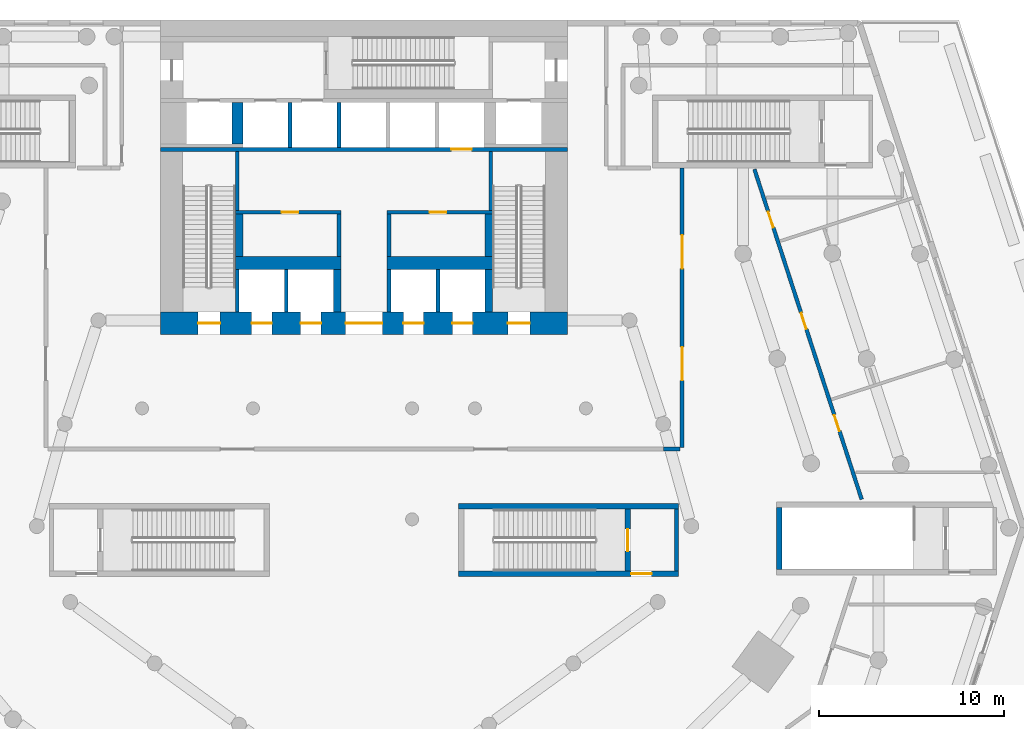
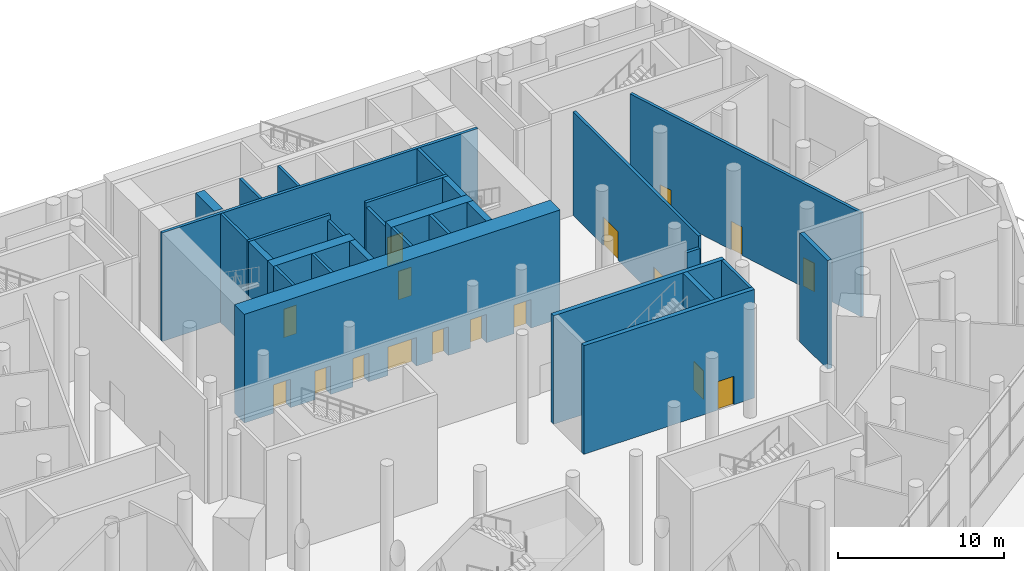
# One storey, part 14 of 23: 29 walls, 17 doors, 17 openings.
"""IFC4 building model written with IfcOpenShell, lengths in metres."""

from ifc_helpers import new_model, si_unit, direction, frame, frame_2d, origin, place, context, subcontext, project, spatial, rectangle, extrude, material, layer, layer_set, type_object, element, fill, save


model = new_model("IFC4")

# Units and contexts
model_context = context("Model", 3, precision=1e-05, world=origin(), true_north=direction((0.0, 1.0)))
body_context = subcontext(model_context, "Body", "Model", "MODEL_VIEW")
ifc_project = project(units=[si_unit("LENGTHUNIT", "METRE"), si_unit("AREAUNIT", "SQUARE_METRE"), si_unit("VOLUMEUNIT", "CUBIC_METRE"), si_unit("PLANEANGLEUNIT", "RADIAN"), si_unit("MASSUNIT", "GRAM", prefix="KILO")], contexts=[model_context])

# Site, building, storey
site_placement = place(None, origin())
site = spatial("IfcSite", under=ifc_project, at=site_placement, CompositionType="ELEMENT")
building_placement = place(site_placement, origin())
building = spatial("IfcBuilding", under=site, at=building_placement, Name="White Candle Pilgrim Tower", CompositionType="ELEMENT")
storey_placement = place(building_placement, frame((0.0, 0.0, 15.0)))
storey = spatial("IfcBuildingStorey", under=building, at=storey_placement, Name="L02", CompositionType="ELEMENT", Elevation=15.0)

# Wall, openings, doors
ifc_material_1 = material(Name="Autoclaved aerated block D500, plastered")
ifc_layer_1 = layer(ifc_material_1, 0.199951171875)
ifc_layer_set_1 = layer_set([ifc_layer_1], Name="Compartment wall 200 mm REI 240")
wall_type_1 = type_object("IfcWallType", Name="Compartment wall 200 mm REI 240", PredefinedType="PARTITIONING", material=ifc_layer_set_1)
wall_1_placement = place(storey_placement, frame((87.199951171875, 80.0, 0.0), z_axis=(0.0, 0.0, 1.0), x_axis=(0.0, -1.0, 0.0)))
wall_1 = element("IfcWall", 1, at=wall_1_placement, inside=storey, type_object=wall_type_1, Name="WL-L02-P031", PredefinedType="PARTITIONING", context=body_context, shape_type="SweptSolid", body=[
    extrude(rectangle(XDim=15.125, YDim=0.199951171875, at=frame_2d((7.5625, 0.0))), origin(), (0.0, 0.0, 1.0), 7.64990234375),
])
opening_1_placement = place(wall_1_placement, frame((3.637451171875, 0.0, 0.0)))
opening_1 = element("IfcOpeningElement", 2, at=opening_1_placement, cuts=wall_1, Name="Opening L02-118", PredefinedType="OPENING", context=body_context, shape_type="SweptSolid", body=[
    extrude(rectangle(XDim=1.800048828125, YDim=2.10009765625, at=frame_2d((0.89990234375, 1.050048828125))), frame((0.0, 0.10986328125, 0.0), z_axis=(0.0, -1.0, 0.0), x_axis=(1.0, 0.0, 0.0)), (0.0, 0.0, 1.0), 0.219970703125),
])
opening_2_placement = place(wall_1_placement, frame((9.6875, 0.0, 0.0)))
opening_2 = element("IfcOpeningElement", 3, at=opening_2_placement, cuts=wall_1, Name="Opening L02-119", PredefinedType="OPENING", context=body_context, shape_type="SweptSolid", body=[
    extrude(rectangle(XDim=1.800048828125, YDim=2.10009765625, at=frame_2d((0.89990234375, 1.050048828125))), frame((0.0, 0.10986328125, 0.0), z_axis=(0.0, -1.0, 0.0), x_axis=(1.0, 0.0, 0.0)), (0.0, 0.0, 1.0), 0.219970703125),
])
ifc_material_2 = material(Name="Steel door leaf", Category="steel")
door_type_1 = type_object("IfcDoorType", Name="Compartment door 1800 x 2100 EI 60", OperationType="NOTDEFINED", PredefinedType="DOOR", material=ifc_material_2)
door_1_placement = place(opening_1_placement, origin())
door_1 = element("IfcDoor", 4, at=door_1_placement, inside=storey, type_object=door_type_1, Name="Door L02-118", OperationType="DOUBLE_DOOR_SINGLE_SWING", OverallHeight=2.10009765625, OverallWidth=1.800048828125, PredefinedType="DOOR", context=body_context, shape_type="SweptSolid", body=[
    extrude(rectangle(XDim=1.800048828125, YDim=2.10009765625, at=frame_2d((0.89990234375, 1.050048828125))), frame((0.0, 0.02490234375, 0.0), z_axis=(0.0, -1.0, 0.0), x_axis=(1.0, 0.0, 0.0)), (0.0, 0.0, 1.0), 0.050048828125),
])
fill(opening_1, door_1)
door_2_placement = place(opening_2_placement, origin())
door_2 = element("IfcDoor", 5, at=door_2_placement, inside=storey, type_object=door_type_1, Name="Door L02-119", OperationType="DOUBLE_DOOR_SINGLE_SWING", OverallHeight=2.10009765625, OverallWidth=1.800048828125, PredefinedType="DOOR", context=body_context, shape_type="SweptSolid", body=[
    extrude(rectangle(XDim=1.800048828125, YDim=2.10009765625, at=frame_2d((0.89990234375, 1.050048828125))), frame((0.0, 0.02490234375, 0.0), z_axis=(0.0, -1.0, 0.0), x_axis=(1.0, 0.0, 0.0)), (0.0, 0.0, 1.0), 0.050048828125),
])
fill(opening_2, door_2)

# Walls
wall_2_placement = place(storey_placement, frame((87.10009765625, 64.800048828125, 0.0), z_axis=(0.0, 0.0, 1.0), x_axis=(-1.0, 0.0, 0.0)))
element("IfcWall", 6, at=wall_2_placement, inside=storey, type_object=wall_type_1, Name="WL-L02-P032", PredefinedType="PARTITIONING", context=body_context, shape_type="SweptSolid", body=[
    extrude(rectangle(XDim=0.900146484375, YDim=0.199951171875, at=frame_2d((0.4501953125, 0.0))), origin(), (0.0, 0.0, 1.0), 6.85009765625),
])
ifc_material_3 = material(Name="Concrete C70/85", Category="concrete")
ifc_layer_2 = layer(ifc_material_3, 0.199951171875)
ifc_layer_set_2 = layer_set([ifc_layer_2], Name="Core wall 200 mm Concrete C70/85")
wall_type_2 = type_object("IfcWallType", Name="Core wall 200 mm Concrete C70/85", PredefinedType="SHEAR", material=ifc_layer_set_2)
wall_3_placement = place(storey_placement, frame((86.89990234375, 58.199951171875, 0.0), z_axis=(0.0, 0.0, 1.0), x_axis=(0.0, 1.0, 0.0)))
element("IfcWall", 7, at=wall_3_placement, inside=storey, type_object=wall_type_2, Name="WL-L02-C20", PredefinedType="SHEAR", context=body_context, shape_type="SweptSolid", body=[
    extrude(rectangle(XDim=3.35009765625, YDim=0.199951171875, at=frame_2d((1.675048828125, 0.0))), origin(), (0.0, 0.0, 1.0), 8.0),
])

# Wall, openings, doors
ifc_layer_3 = layer(ifc_material_1, 0.199951171875)
ifc_layer_set_3 = layer_set([ifc_layer_3], Name="Hall enclosure wall 200 mm REI 240")
wall_type_3 = type_object("IfcWallType", Name="Hall enclosure wall 200 mm REI 240", PredefinedType="PARTITIONING", material=ifc_layer_set_3)
wall_4_placement = place(storey_placement, frame((91.1103515625, 79.930908203125, 0.0), z_axis=(0.0, 0.0, 1.0), x_axis=(0.309014892187, -0.951057199335, 0.0)))
wall_4 = element("IfcWall", 8, at=wall_4_placement, inside=storey, type_object=wall_type_3, Name="WL-L02-P009", PredefinedType="PARTITIONING", context=body_context, shape_type="SweptSolid", body=[
    extrude(rectangle(XDim=18.768798828125, YDim=0.199951171875, at=frame_2d((9.38427734375, 0.0))), origin(), (0.0, 0.0, 1.0), 7.64990234375),
])
opening_3_placement = place(wall_4_placement, frame((13.984619140625, 0.0, 0.0)))
opening_3 = element("IfcOpeningElement", 9, at=opening_3_placement, cuts=wall_4, Name="Opening L02-115", PredefinedType="OPENING", context=body_context, shape_type="SweptSolid", body=[
    extrude(rectangle(XDim=0.89990234375, YDim=2.10009765625, at=frame_2d((0.449951171875, 1.050048828125))), frame((0.0, 0.10986328125, 0.0), z_axis=(0.0, -1.0, 0.0), x_axis=(1.0, 0.0, 0.0)), (0.0, 0.0, 1.0), 0.219970703125),
])
opening_4_placement = place(wall_4_placement, frame((8.177734375, 0.0, 0.0)))
opening_4 = element("IfcOpeningElement", 10, at=opening_4_placement, cuts=wall_4, Name="Opening L02-116", PredefinedType="OPENING", context=body_context, shape_type="SweptSolid", body=[
    extrude(rectangle(XDim=0.89990234375, YDim=2.10009765625, at=frame_2d((0.449951171875, 1.050048828125))), frame((0.0, 0.10986328125, 0.0), z_axis=(0.0, -1.0, 0.0), x_axis=(1.0, 0.0, 0.0)), (0.0, 0.0, 1.0), 0.219970703125),
])
opening_5_placement = place(wall_4_placement, frame((2.418701171875, 0.0, 0.0)))
opening_5 = element("IfcOpeningElement", 11, at=opening_5_placement, cuts=wall_4, Name="Opening L02-117", PredefinedType="OPENING", context=body_context, shape_type="SweptSolid", body=[
    extrude(rectangle(XDim=0.89990234375, YDim=2.10009765625, at=frame_2d((0.449951171875, 1.050048828125))), frame((0.0, 0.10986328125, 0.0), z_axis=(0.0, -1.0, 0.0), x_axis=(1.0, 0.0, 0.0)), (0.0, 0.0, 1.0), 0.219970703125),
])
door_type_2 = type_object("IfcDoorType", Name="Fire door 900 x 2100 EI 60", OperationType="NOTDEFINED", PredefinedType="DOOR", material=ifc_material_2)
door_3_placement = place(opening_3_placement, origin())
door_3 = element("IfcDoor", 12, at=door_3_placement, inside=storey, type_object=door_type_2, Name="Door L02-115", OperationType="SINGLE_SWING_LEFT", OverallHeight=2.10009765625, OverallWidth=0.89990234375, PredefinedType="DOOR", context=body_context, shape_type="SweptSolid", body=[
    extrude(rectangle(XDim=0.89990234375, YDim=2.10009765625, at=frame_2d((0.449951171875, 1.050048828125))), frame((0.0, 0.02490234375, 0.0), z_axis=(0.0, -1.0, 0.0), x_axis=(1.0, 0.0, 0.0)), (0.0, 0.0, 1.0), 0.050048828125),
])
fill(opening_3, door_3)
door_4_placement = place(opening_4_placement, origin())
door_4 = element("IfcDoor", 13, at=door_4_placement, inside=storey, type_object=door_type_2, Name="Door L02-116", OperationType="SINGLE_SWING_RIGHT", OverallHeight=2.10009765625, OverallWidth=0.89990234375, PredefinedType="DOOR", context=body_context, shape_type="SweptSolid", body=[
    extrude(rectangle(XDim=0.89990234375, YDim=2.10009765625, at=frame_2d((0.449951171875, 1.050048828125))), frame((0.0, 0.02490234375, 0.0), z_axis=(0.0, -1.0, 0.0), x_axis=(1.0, 0.0, 0.0)), (0.0, 0.0, 1.0), 0.050048828125),
])
fill(opening_4, door_4)
door_5_placement = place(opening_5_placement, origin())
door_5 = element("IfcDoor", 14, at=door_5_placement, inside=storey, type_object=door_type_2, Name="Door L02-117", OperationType="SINGLE_SWING_LEFT", OverallHeight=2.10009765625, OverallWidth=0.89990234375, PredefinedType="DOOR", context=body_context, shape_type="SweptSolid", body=[
    extrude(rectangle(XDim=0.89990234375, YDim=2.10009765625, at=frame_2d((0.449951171875, 1.050048828125))), frame((0.0, 0.02490234375, 0.0), z_axis=(0.0, -1.0, 0.0), x_axis=(1.0, 0.0, 0.0)), (0.0, 0.0, 1.0), 0.050048828125),
])
fill(opening_5, door_5)

# Walls
ifc_material_4 = material(Name="Gypsum board on steel studs", Category="steel")
ifc_layer_4 = layer(ifc_material_4, 0.199951171875)
ifc_layer_set_4 = layer_set([ifc_layer_4], Name="Lobby wall 200 mm EI 60")
wall_type_4 = type_object("IfcWallType", Name="Lobby wall 200 mm EI 60", PredefinedType="PARTITIONING", material=ifc_layer_set_4)
for number, where, z_axis, x_axis, name in (
    (15, (68.64990234375, 75.199951171875, 0.0), (0.0, 0.0, 1.0), (0.0, 1.0, 0.0), "WL-L02-C43"),
    (16, (71.35009765625, 75.199951171875, 0.0), (0.0, 0.0, 1.0), (0.0, 1.0, 0.0), "WL-L02-C44"),
):
    element("IfcWall", number, at=place(storey_placement, frame(where, z_axis=z_axis, x_axis=x_axis)), inside=storey, type_object=wall_type_4, Name=name, PredefinedType="PARTITIONING", context=body_context, shape_type="SweptSolid", body=[
        extrude(rectangle(XDim=2.300048828125, YDim=0.199951171875, at=frame_2d((1.14990234375, 0.0))), origin(), (0.0, 0.0, 1.0), 7.64990234375),
    ])
ifc_layer_5 = layer(ifc_material_3, 0.199951171875)
ifc_layer_set_5 = layer_set([ifc_layer_5], Name="Shaft wall 200 mm Concrete C70/85")
wall_type_5 = type_object("IfcWallType", Name="Shaft wall 200 mm Concrete C70/85", PredefinedType="SHEAR", material=ifc_layer_set_5)
for number, where, z_axis, x_axis, name in (
    (17, (65.800048828125, 72.199951171875, 0.0), (0.0, 0.0, 1.0), (0.0, 1.0, 0.0), "WL-L02-C34"),
    (18, (71.35009765625, 72.199951171875, 0.0), (0.0, 0.0, 1.0), (0.0, 1.0, 0.0), "WL-L02-C36"),
    (19, (74.0, 72.199951171875, 0.0), (0.0, 0.0, 1.0), (0.0, 1.0, 0.0), "WL-L02-C37"),
):
    element("IfcWall", number, at=place(storey_placement, frame(where, z_axis=z_axis, x_axis=x_axis)), inside=storey, type_object=wall_type_5, Name=name, PredefinedType="SHEAR", context=body_context, shape_type="SweptSolid", body=[
        extrude(rectangle(XDim=2.300048828125, YDim=0.199951171875, at=frame_2d((1.14990234375, 0.0))), origin(), (0.0, 0.0, 1.0), 8.0),
    ])
for number, where, z_axis, x_axis, name in (
    (20, (66.0, 81.10009765625, 0.0), (0.0, 0.0, 1.0), (0.0, 1.0, 0.0), "WL-L02-C60"),
    (21, (68.64990234375, 81.10009765625, 0.0), (0.0, 0.0, 1.0), (0.0, 1.0, 0.0), "WL-L02-C61"),
):
    element("IfcWall", number, at=place(storey_placement, frame(where, z_axis=z_axis, x_axis=x_axis)), inside=storey, type_object=wall_type_5, Name=name, PredefinedType="SHEAR", context=body_context, shape_type="SweptSolid", body=[
        extrude(rectangle(XDim=2.449951171875, YDim=0.199951171875, at=frame_2d((1.22509765625, 0.0))), origin(), (0.0, 0.0, 1.0), 8.0),
    ])
ifc_layer_6 = layer(ifc_material_3, 0.39990234375)
ifc_layer_set_6 = layer_set([ifc_layer_6], Name="Shaft wall 400 mm Concrete C70/85")
wall_type_6 = type_object("IfcWallType", Name="Shaft wall 400 mm Concrete C70/85", PredefinedType="SHEAR", material=ifc_layer_set_6)
wall_5_placement = place(storey_placement, frame((68.550048828125, 72.199951171875, 0.0), z_axis=(0.0, 0.0, 1.0), x_axis=(0.0, 1.0, 0.0)))
element("IfcWall", 22, at=wall_5_placement, inside=storey, type_object=wall_type_6, Name="WL-L02-C35", PredefinedType="SHEAR", context=body_context, shape_type="SweptSolid", body=[
    extrude(rectangle(XDim=2.300048828125, YDim=0.39990234375, at=frame_2d((1.14990234375, 0.0))), origin(), (0.0, 0.0, 1.0), 8.0),
])
ifc_layer_7 = layer(ifc_material_3, 0.60009765625)
ifc_layer_set_7 = layer_set([ifc_layer_7], Name="Shaft wall 600 mm Concrete C70/85")
wall_type_7 = type_object("IfcWallType", Name="Shaft wall 600 mm Concrete C70/85", PredefinedType="SHEAR", material=ifc_layer_set_7)
wall_6_placement = place(storey_placement, frame((63.14990234375, 81.300048828125, 0.0), z_axis=(0.0, 0.0, 1.0), x_axis=(0.0, 1.0, 0.0)))
element("IfcWall", 23, at=wall_6_placement, inside=storey, type_object=wall_type_7, Name="WL-L02-C66", PredefinedType="SHEAR", context=body_context, shape_type="SweptSolid", body=[
    extrude(rectangle(XDim=2.25, YDim=0.60009765625, at=frame_2d((1.125, 0.0))), origin(), (0.0, 0.0, 1.0), 8.0),
])

# Wall, openings, doors
ifc_layer_8 = layer(ifc_material_3, 1.199951171875)
ifc_layer_set_8 = layer_set([ifc_layer_8], Name="Stair shaft wall 1200 mm Concrete C70/85")
wall_type_8 = type_object("IfcWallType", Name="Stair shaft wall 1200 mm Concrete C70/85", PredefinedType="SHEAR", material=ifc_layer_set_8)
wall_7_placement = place(storey_placement, frame((59.0, 71.60009765625, 0.0), z_axis=(0.0, 0.0, 1.0), x_axis=(1.0, 0.0, 0.0)))
wall_7 = element("IfcWall", 24, at=wall_7_placement, inside=storey, type_object=wall_type_8, Name="WL-L02-C31", PredefinedType="SHEAR", context=body_context, shape_type="SweptSolid", body=[
    extrude(rectangle(XDim=22.0, YDim=1.199951171875, at=frame_2d((11.0, 0.0))), origin(), (0.0, 0.0, 1.0), 8.0),
])
opening_6_placement = place(wall_7_placement, frame((2.02490234375, 0.0, 0.0)))
opening_6 = element("IfcOpeningElement", 25, at=opening_6_placement, cuts=wall_7, Name="Opening L02-001", PredefinedType="OPENING", context=body_context, shape_type="SweptSolid", body=[
    extrude(rectangle(XDim=1.199951171875, YDim=2.10009765625, at=frame_2d((0.60009765625, 1.050048828125))), frame((0.0, 0.60986328125, 0.0), z_axis=(0.0, -1.0, 0.0), x_axis=(1.0, 0.0, 0.0)), (0.0, 0.0, 1.0), 1.219970703125),
])
opening_7_placement = place(wall_7_placement, frame((18.77490234375, 0.0, 0.0)))
opening_7 = element("IfcOpeningElement", 26, at=opening_7_placement, cuts=wall_7, Name="Opening L02-002", PredefinedType="OPENING", context=body_context, shape_type="SweptSolid", body=[
    extrude(rectangle(XDim=1.199951171875, YDim=2.10009765625, at=frame_2d((0.60009765625, 1.050048828125))), frame((0.0, 0.60986328125, 0.0), z_axis=(0.0, -1.0, 0.0), x_axis=(1.0, 0.0, 0.0)), (0.0, 0.0, 1.0), 1.219970703125),
])
opening_8_placement = place(wall_7_placement, frame((10.0, 0.0, 0.0)))
opening_8 = element("IfcOpeningElement", 27, at=opening_8_placement, cuts=wall_7, Name="Opening L02-004", PredefinedType="OPENING", context=body_context, shape_type="SweptSolid", body=[
    extrude(rectangle(XDim=2.0, YDim=2.10009765625, at=frame_2d((1.0, 1.050048828125))), frame((0.0, 0.60986328125, 0.0), z_axis=(0.0, -1.0, 0.0), x_axis=(1.0, 0.0, 0.0)), (0.0, 0.0, 1.0), 1.219970703125),
])
opening_9_placement = place(wall_7_placement, frame((4.925048828125, 0.0, 0.0)))
opening_9 = element("IfcOpeningElement", 28, at=opening_9_placement, cuts=wall_7, Name="Opening L02-026", PredefinedType="OPENING", context=body_context, shape_type="SweptSolid", body=[
    extrude(rectangle(XDim=1.10009765625, YDim=2.10009765625, at=frame_2d((0.550048828125, 1.050048828125))), frame((0.0, 0.60986328125, 0.0), z_axis=(0.0, -1.0, 0.0), x_axis=(1.0, 0.0, 0.0)), (0.0, 0.0, 1.0), 1.219970703125),
])
opening_10_placement = place(wall_7_placement, frame((7.574951171875, 0.0, 0.0)))
opening_10 = element("IfcOpeningElement", 29, at=opening_10_placement, cuts=wall_7, Name="Opening L02-027", PredefinedType="OPENING", context=body_context, shape_type="SweptSolid", body=[
    extrude(rectangle(XDim=1.10009765625, YDim=2.10009765625, at=frame_2d((0.550048828125, 1.050048828125))), frame((0.0, 0.60986328125, 0.0), z_axis=(0.0, -1.0, 0.0), x_axis=(1.0, 0.0, 0.0)), (0.0, 0.0, 1.0), 1.219970703125),
])
opening_11_placement = place(wall_7_placement, frame((13.125, 0.0, 0.0)))
opening_11 = element("IfcOpeningElement", 30, at=opening_11_placement, cuts=wall_7, Name="Opening L02-028", PredefinedType="OPENING", context=body_context, shape_type="SweptSolid", body=[
    extrude(rectangle(XDim=1.10009765625, YDim=2.10009765625, at=frame_2d((0.550048828125, 1.050048828125))), frame((0.0, 0.60986328125, 0.0), z_axis=(0.0, -1.0, 0.0), x_axis=(1.0, 0.0, 0.0)), (0.0, 0.0, 1.0), 1.219970703125),
])
opening_12_placement = place(wall_7_placement, frame((15.77490234375, 0.0, 0.0)))
opening_12 = element("IfcOpeningElement", 31, at=opening_12_placement, cuts=wall_7, Name="Opening L02-029", PredefinedType="OPENING", context=body_context, shape_type="SweptSolid", body=[
    extrude(rectangle(XDim=1.10009765625, YDim=2.10009765625, at=frame_2d((0.550048828125, 1.050048828125))), frame((0.0, 0.60986328125, 0.0), z_axis=(0.0, -1.0, 0.0), x_axis=(1.0, 0.0, 0.0)), (0.0, 0.0, 1.0), 1.219970703125),
])
door_type_3 = type_object("IfcDoorType", Name="Fire door 1200 x 2100 EI 60", OperationType="NOTDEFINED", PredefinedType="DOOR", material=ifc_material_2)
door_6_placement = place(opening_6_placement, frame((1.199951171875, 0.0, 0.0), z_axis=(0.0, 0.0, 1.0), x_axis=(-1.0, 0.0, 0.0)))
door_6 = element("IfcDoor", 32, at=door_6_placement, inside=storey, type_object=door_type_3, Name="Door L02-001", OperationType="SINGLE_SWING_RIGHT", OverallHeight=2.10009765625, OverallWidth=1.199951171875, PredefinedType="DOOR", context=body_context, shape_type="SweptSolid", body=[
    extrude(rectangle(XDim=1.199951171875, YDim=2.10009765625, at=frame_2d((0.60009765625, 1.050048828125))), frame((0.0, 0.02490234375, 0.0), z_axis=(0.0, -1.0, 0.0), x_axis=(1.0, 0.0, 0.0)), (0.0, 0.0, 1.0), 0.050048828125),
])
fill(opening_6, door_6)
door_7_placement = place(opening_7_placement, frame((1.199951171875, 0.0, 0.0), z_axis=(0.0, 0.0, 1.0), x_axis=(-1.0, 0.0, 0.0)))
door_7 = element("IfcDoor", 33, at=door_7_placement, inside=storey, type_object=door_type_3, Name="Door L02-002", OperationType="SINGLE_SWING_LEFT", OverallHeight=2.10009765625, OverallWidth=1.199951171875, PredefinedType="DOOR", context=body_context, shape_type="SweptSolid", body=[
    extrude(rectangle(XDim=1.199951171875, YDim=2.10009765625, at=frame_2d((0.60009765625, 1.050048828125))), frame((0.0, 0.02490234375, 0.0), z_axis=(0.0, -1.0, 0.0), x_axis=(1.0, 0.0, 0.0)), (0.0, 0.0, 1.0), 0.050048828125),
])
fill(opening_7, door_7)
door_type_4 = type_object("IfcDoorType", Name="Fire door 2000 x 2100 EI 60", OperationType="NOTDEFINED", PredefinedType="DOOR", material=ifc_material_2)
door_8_placement = place(opening_8_placement, frame((2.0, 0.0, 0.0), z_axis=(0.0, 0.0, 1.0), x_axis=(-1.0, 0.0, 0.0)))
door_8 = element("IfcDoor", 34, at=door_8_placement, inside=storey, type_object=door_type_4, Name="Door L02-004", OperationType="DOUBLE_DOOR_SINGLE_SWING", OverallHeight=2.10009765625, OverallWidth=2.0, PredefinedType="DOOR", context=body_context, shape_type="SweptSolid", body=[
    extrude(rectangle(XDim=2.0, YDim=2.10009765625, at=frame_2d((1.0, 1.050048828125))), frame((0.0, 0.02490234375, 0.0), z_axis=(0.0, -1.0, 0.0), x_axis=(1.0, 0.0, 0.0)), (0.0, 0.0, 1.0), 0.050048828125),
])
fill(opening_8, door_8)
ifc_material_5 = material(Name="Stainless steel", Category="steel")
door_type_5 = type_object("IfcDoorType", Name="Lift landing door 1100 x 2100 E 60", OperationType="DOUBLE_DOOR_SLIDING", PredefinedType="DOOR", material=ifc_material_5)
door_9_placement = place(opening_9_placement, origin())
door_9 = element("IfcDoor", 35, at=door_9_placement, inside=storey, type_object=door_type_5, Name="Door L02-026", OperationType="DOUBLE_DOOR_SLIDING", OverallHeight=2.10009765625, OverallWidth=1.10009765625, PredefinedType="DOOR", context=body_context, shape_type="SweptSolid", body=[
    extrude(rectangle(XDim=1.10009765625, YDim=2.10009765625, at=frame_2d((0.550048828125, 1.050048828125))), frame((0.0, 0.02490234375, 0.0), z_axis=(0.0, -1.0, 0.0), x_axis=(1.0, 0.0, 0.0)), (0.0, 0.0, 1.0), 0.050048828125),
])
fill(opening_9, door_9)
door_10_placement = place(opening_10_placement, origin())
door_10 = element("IfcDoor", 36, at=door_10_placement, inside=storey, type_object=door_type_5, Name="Door L02-027", OperationType="DOUBLE_DOOR_SLIDING", OverallHeight=2.10009765625, OverallWidth=1.10009765625, PredefinedType="DOOR", context=body_context, shape_type="SweptSolid", body=[
    extrude(rectangle(XDim=1.10009765625, YDim=2.10009765625, at=frame_2d((0.550048828125, 1.050048828125))), frame((0.0, 0.02490234375, 0.0), z_axis=(0.0, -1.0, 0.0), x_axis=(1.0, 0.0, 0.0)), (0.0, 0.0, 1.0), 0.050048828125),
])
fill(opening_10, door_10)
door_11_placement = place(opening_11_placement, origin())
door_11 = element("IfcDoor", 37, at=door_11_placement, inside=storey, type_object=door_type_5, Name="Door L02-028", OperationType="DOUBLE_DOOR_SLIDING", OverallHeight=2.10009765625, OverallWidth=1.10009765625, PredefinedType="DOOR", context=body_context, shape_type="SweptSolid", body=[
    extrude(rectangle(XDim=1.10009765625, YDim=2.10009765625, at=frame_2d((0.550048828125, 1.050048828125))), frame((0.0, 0.02490234375, 0.0), z_axis=(0.0, -1.0, 0.0), x_axis=(1.0, 0.0, 0.0)), (0.0, 0.0, 1.0), 0.050048828125),
])
fill(opening_11, door_11)
door_12_placement = place(opening_12_placement, origin())
door_12 = element("IfcDoor", 38, at=door_12_placement, inside=storey, type_object=door_type_5, Name="Door L02-029", OperationType="DOUBLE_DOOR_SLIDING", OverallHeight=2.10009765625, OverallWidth=1.10009765625, PredefinedType="DOOR", context=body_context, shape_type="SweptSolid", body=[
    extrude(rectangle(XDim=1.10009765625, YDim=2.10009765625, at=frame_2d((0.550048828125, 1.050048828125))), frame((0.0, 0.02490234375, 0.0), z_axis=(0.0, -1.0, 0.0), x_axis=(1.0, 0.0, 0.0)), (0.0, 0.0, 1.0), 0.050048828125),
])
fill(opening_12, door_12)

# Wall
ifc_layer_9 = layer(ifc_material_3, 0.199951171875)
ifc_layer_set_9 = layer_set([ifc_layer_9], Name="Stair shaft wall 200 mm Concrete C70/85")
wall_type_9 = type_object("IfcWallType", Name="Stair shaft wall 200 mm Concrete C70/85", PredefinedType="SHEAR", material=ifc_layer_set_9)
wall_8_placement = place(storey_placement, frame((63.14990234375, 72.199951171875, 0.0), z_axis=(0.0, 0.0, 1.0), x_axis=(0.0, 1.0, 0.0)))
element("IfcWall", 39, at=wall_8_placement, inside=storey, type_object=wall_type_9, Name="WL-L02-C33", PredefinedType="SHEAR", context=body_context, shape_type="SweptSolid", body=[
    extrude(rectangle(XDim=2.300048828125, YDim=0.199951171875, at=frame_2d((1.14990234375, 0.0))), origin(), (0.0, 0.0, 1.0), 8.0),
])

# Wall, opening, door
wall_9_placement = place(storey_placement, frame((63.050048828125, 77.60009765625, 0.0), z_axis=(0.0, 0.0, 1.0), x_axis=(1.0, 0.0, 0.0)))
wall_9 = element("IfcWall", 40, at=wall_9_placement, inside=storey, type_object=wall_type_9, Name="WL-L02-C46", PredefinedType="SHEAR", context=body_context, shape_type="SweptSolid", body=[
    extrude(rectangle(XDim=5.699951171875, YDim=0.199951171875, at=frame_2d((2.85009765625, 0.0))), origin(), (0.0, 0.0, 1.0), 8.0),
])
opening_13_placement = place(wall_9_placement, frame((2.5, 0.0, 0.0)))
opening_13 = element("IfcOpeningElement", 41, at=opening_13_placement, cuts=wall_9, Name="Opening L02-032", PredefinedType="OPENING", context=body_context, shape_type="SweptSolid", body=[
    extrude(rectangle(XDim=0.89990234375, YDim=2.10009765625, at=frame_2d((0.449951171875, 1.050048828125))), frame((0.0, 0.10986328125, 0.0), z_axis=(0.0, -1.0, 0.0), x_axis=(1.0, 0.0, 0.0)), (0.0, 0.0, 1.0), 0.219970703125),
])
door_type_6 = type_object("IfcDoorType", Name="Fire door 900 x 2100 EI 30", OperationType="NOTDEFINED", PredefinedType="DOOR", material=ifc_material_2)
door_13_placement = place(opening_13_placement, origin())
door_13 = element("IfcDoor", 42, at=door_13_placement, inside=storey, type_object=door_type_6, Name="Door L02-032", OperationType="SINGLE_SWING_RIGHT", OverallHeight=2.10009765625, OverallWidth=0.89990234375, PredefinedType="DOOR", context=body_context, shape_type="SweptSolid", body=[
    extrude(rectangle(XDim=0.89990234375, YDim=2.10009765625, at=frame_2d((0.449951171875, 1.050048828125))), frame((0.0, 0.02490234375, 0.0), z_axis=(0.0, -1.0, 0.0), x_axis=(1.0, 0.0, 0.0)), (0.0, 0.0, 1.0), 0.050048828125),
])
fill(opening_13, door_13)

wall_10_placement = place(storey_placement, frame((71.25, 77.60009765625, 0.0), z_axis=(0.0, 0.0, 1.0), x_axis=(1.0, 0.0, 0.0)))
wall_10 = element("IfcWall", 43, at=wall_10_placement, inside=storey, type_object=wall_type_9, Name="WL-L02-C47", PredefinedType="SHEAR", context=body_context, shape_type="SweptSolid", body=[
    extrude(rectangle(XDim=5.699951171875, YDim=0.199951171875, at=frame_2d((2.85009765625, 0.0))), origin(), (0.0, 0.0, 1.0), 8.0),
])
opening_14_placement = place(wall_10_placement, frame((2.300048828125, 0.0, 0.0)))
opening_14 = element("IfcOpeningElement", 44, at=opening_14_placement, cuts=wall_10, Name="Opening L02-033", PredefinedType="OPENING", context=body_context, shape_type="SweptSolid", body=[
    extrude(rectangle(XDim=0.89990234375, YDim=2.10009765625, at=frame_2d((0.449951171875, 1.050048828125))), frame((0.0, 0.10986328125, 0.0), z_axis=(0.0, -1.0, 0.0), x_axis=(1.0, 0.0, 0.0)), (0.0, 0.0, 1.0), 0.219970703125),
])
door_14_placement = place(opening_14_placement, origin())
door_14 = element("IfcDoor", 45, at=door_14_placement, inside=storey, type_object=door_type_6, Name="Door L02-033", OperationType="SINGLE_SWING_LEFT", OverallHeight=2.10009765625, OverallWidth=0.89990234375, PredefinedType="DOOR", context=body_context, shape_type="SweptSolid", body=[
    extrude(rectangle(XDim=0.89990234375, YDim=2.10009765625, at=frame_2d((0.449951171875, 1.050048828125))), frame((0.0, 0.02490234375, 0.0), z_axis=(0.0, -1.0, 0.0), x_axis=(1.0, 0.0, 0.0)), (0.0, 0.0, 1.0), 0.050048828125),
])
fill(opening_14, door_14)

# Walls
for number, where, z_axis, x_axis, name in (
    (46, (63.14990234375, 77.699951171875, 0.0), (0.0, 0.0, 1.0), (0.0, 1.0, 0.0), "WL-L02-C48"),
    (47, (76.85009765625, 77.699951171875, 0.0), (0.0, 0.0, 1.0), (0.0, 1.0, 0.0), "WL-L02-C49"),
):
    element("IfcWall", number, at=place(storey_placement, frame(where, z_axis=z_axis, x_axis=x_axis)), inside=storey, type_object=wall_type_9, Name=name, PredefinedType="SHEAR", context=body_context, shape_type="SweptSolid", body=[
        extrude(rectangle(XDim=3.199951171875, YDim=0.199951171875, at=frame_2d((1.60009765625, 0.0))), origin(), (0.0, 0.0, 1.0), 8.0),
    ])

# Wall, opening, door
wall_11_placement = place(storey_placement, frame((59.0, 81.0, 0.0), z_axis=(0.0, 0.0, 1.0), x_axis=(1.0, 0.0, 0.0)))
wall_11 = element("IfcWall", 48, at=wall_11_placement, inside=storey, type_object=wall_type_9, Name="WL-L02-C58", PredefinedType="SHEAR", context=body_context, shape_type="SweptSolid", body=[
    extrude(rectangle(XDim=22.0, YDim=0.199951171875, at=frame_2d((11.0, 0.0))), origin(), (0.0, 0.0, 1.0), 8.0),
])
opening_15_placement = place(wall_11_placement, frame((15.72509765625, 0.0, 0.0)))
opening_15 = element("IfcOpeningElement", 49, at=opening_15_placement, cuts=wall_11, Name="Opening L02-025", PredefinedType="OPENING", context=body_context, shape_type="SweptSolid", body=[
    extrude(rectangle(XDim=1.10009765625, YDim=2.10009765625, at=frame_2d((0.550048828125, 1.050048828125))), frame((0.0, 0.10986328125, 0.0), z_axis=(0.0, -1.0, 0.0), x_axis=(1.0, 0.0, 0.0)), (0.0, 0.0, 1.0), 0.219970703125),
])
door_15_placement = place(opening_15_placement, origin())
door_15 = element("IfcDoor", 50, at=door_15_placement, inside=storey, type_object=door_type_5, Name="Door L02-025", OperationType="DOUBLE_DOOR_SLIDING", OverallHeight=2.10009765625, OverallWidth=1.10009765625, PredefinedType="DOOR", context=body_context, shape_type="SweptSolid", body=[
    extrude(rectangle(XDim=1.10009765625, YDim=2.10009765625, at=frame_2d((0.550048828125, 1.050048828125))), frame((0.0, 0.02490234375, 0.0), z_axis=(0.0, -1.0, 0.0), x_axis=(1.0, 0.0, 0.0)), (0.0, 0.0, 1.0), 0.050048828125),
])
fill(opening_15, door_15)

ifc_layer_10 = layer(ifc_material_3, 0.300048828125)
ifc_layer_set_10 = layer_set([ifc_layer_10], Name="Stair shaft wall 300 mm Concrete C70/85")
wall_type_10 = type_object("IfcWallType", Name="Stair shaft wall 300 mm Concrete C70/85", PredefinedType="SHEAR", material=ifc_layer_set_10)
wall_12_placement = place(storey_placement, frame((75.10009765625, 58.050048828125, 0.0), z_axis=(0.0, 0.0, 1.0), x_axis=(1.0, 0.0, 0.0)))
wall_12 = element("IfcWall", 51, at=wall_12_placement, inside=storey, type_object=wall_type_10, Name="WL-L02-C12", PredefinedType="SHEAR", context=body_context, shape_type="SweptSolid", body=[
    extrude(rectangle(XDim=11.89990234375, YDim=0.300048828125, at=frame_2d((5.949951171875, 0.0))), origin(), (0.0, 0.0, 1.0), 8.0),
])
opening_16_placement = place(wall_12_placement, frame((9.35009765625, 0.0, 0.0)))
opening_16 = element("IfcOpeningElement", 52, at=opening_16_placement, cuts=wall_12, Name="Opening L02-009", PredefinedType="OPENING", context=body_context, shape_type="SweptSolid", body=[
    extrude(rectangle(XDim=1.10009765625, YDim=2.10009765625, at=frame_2d((0.550048828125, 1.050048828125))), frame((0.0, 0.159912109375, 0.0), z_axis=(0.0, -1.0, 0.0), x_axis=(1.0, 0.0, 0.0)), (0.0, 0.0, 1.0), 0.320068359375),
])
door_type_7 = type_object("IfcDoorType", Name="Fire door 1100 x 2100 EI 60", OperationType="NOTDEFINED", PredefinedType="DOOR", material=ifc_material_2)
door_16_placement = place(opening_16_placement, origin())
door_16 = element("IfcDoor", 53, at=door_16_placement, inside=storey, type_object=door_type_7, Name="Door L02-009", OperationType="SINGLE_SWING_LEFT", OverallHeight=2.10009765625, OverallWidth=1.10009765625, PredefinedType="DOOR", context=body_context, shape_type="SweptSolid", body=[
    extrude(rectangle(XDim=1.10009765625, YDim=2.10009765625, at=frame_2d((0.550048828125, 1.050048828125))), frame((0.0, 0.02490234375, 0.0), z_axis=(0.0, -1.0, 0.0), x_axis=(1.0, 0.0, 0.0)), (0.0, 0.0, 1.0), 0.050048828125),
])
fill(opening_16, door_16)

wall_13_placement = place(storey_placement, frame((84.25, 58.199951171875, 0.0), z_axis=(0.0, 0.0, 1.0), x_axis=(0.0, 1.0, 0.0)))
wall_13 = element("IfcWall", 54, at=wall_13_placement, inside=storey, type_object=wall_type_10, Name="WL-L02-C19", PredefinedType="SHEAR", context=body_context, shape_type="SweptSolid", body=[
    extrude(rectangle(XDim=3.35009765625, YDim=0.300048828125, at=frame_2d((1.675048828125, 0.0))), origin(), (0.0, 0.0, 1.0), 8.0),
])
opening_17_placement = place(wall_13_placement, frame((1.074951171875, 0.0, 0.0)))
opening_17 = element("IfcOpeningElement", 55, at=opening_17_placement, cuts=wall_13, Name="Opening L02-010", PredefinedType="OPENING", context=body_context, shape_type="SweptSolid", body=[
    extrude(rectangle(XDim=1.199951171875, YDim=2.10009765625, at=frame_2d((0.60009765625, 1.050048828125))), frame((0.0, 0.159912109375, 0.0), z_axis=(0.0, -1.0, 0.0), x_axis=(1.0, 0.0, 0.0)), (0.0, 0.0, 1.0), 0.320068359375),
])
door_17_placement = place(opening_17_placement, origin())
door_17 = element("IfcDoor", 56, at=door_17_placement, inside=storey, type_object=door_type_3, Name="Door L02-010", OperationType="SINGLE_SWING_RIGHT", OverallHeight=2.10009765625, OverallWidth=1.199951171875, PredefinedType="DOOR", context=body_context, shape_type="SweptSolid", body=[
    extrude(rectangle(XDim=1.199951171875, YDim=2.10009765625, at=frame_2d((0.60009765625, 1.050048828125))), frame((0.0, 0.02490234375, 0.0), z_axis=(0.0, -1.0, 0.0), x_axis=(1.0, 0.0, 0.0)), (0.0, 0.0, 1.0), 0.050048828125),
])
fill(opening_17, door_17)

# Walls
wall_14_placement = place(storey_placement, frame((92.449951171875, 58.300048828125, 0.0), z_axis=(0.0, 0.0, 1.0), x_axis=(0.0, 1.0, 0.0)))
element("IfcWall", 57, at=wall_14_placement, inside=storey, type_object=wall_type_10, Name="WL-L02-C24", PredefinedType="SHEAR", context=body_context, shape_type="SweptSolid", body=[
    extrude(rectangle(XDim=3.349853515625, YDim=0.300048828125, at=frame_2d((1.6748046875, 0.0))), origin(), (0.0, 0.0, 1.0), 8.0),
])
wall_15_placement = place(storey_placement, frame((75.10009765625, 61.699951171875, 0.0), z_axis=(0.0, 0.0, 1.0), x_axis=(1.0, 0.0, 0.0)))
element("IfcWall", 58, at=wall_15_placement, inside=storey, type_object=wall_type_10, Name="WL-L02-C28", PredefinedType="SHEAR", context=body_context, shape_type="SweptSolid", body=[
    extrude(rectangle(XDim=11.89990234375, YDim=0.300048828125, at=frame_2d((5.949951171875, 0.0))), origin(), (0.0, 0.0, 1.0), 8.0),
])
ifc_layer_11 = layer(ifc_material_3, 0.39990234375)
ifc_layer_set_11 = layer_set([ifc_layer_11], Name="Stair shaft wall 400 mm Concrete C70/85")
wall_type_11 = type_object("IfcWallType", Name="Stair shaft wall 400 mm Concrete C70/85", PredefinedType="SHEAR", material=ifc_layer_set_11)
for number, where, z_axis, x_axis, name in (
    (59, (76.75, 72.199951171875, 0.0), (0.0, 0.0, 1.0), (0.0, 1.0, 0.0), "WL-L02-C38"),
    (60, (63.25, 75.199951171875, 0.0), (0.0, 0.0, 1.0), (0.0, 1.0, 0.0), "WL-L02-C42"),
    (61, (76.75, 75.199951171875, 0.0), (0.0, 0.0, 1.0), (0.0, 1.0, 0.0), "WL-L02-C45"),
):
    element("IfcWall", number, at=place(storey_placement, frame(where, z_axis=z_axis, x_axis=x_axis)), inside=storey, type_object=wall_type_11, Name=name, PredefinedType="SHEAR", context=body_context, shape_type="SweptSolid", body=[
        extrude(rectangle(XDim=2.300048828125, YDim=0.39990234375, at=frame_2d((1.14990234375, 0.0))), origin(), (0.0, 0.0, 1.0), 8.0),
    ])
ifc_layer_12 = layer(ifc_material_3, 0.699951171875)
ifc_layer_set_12 = layer_set([ifc_layer_12], Name="Stair shaft wall 700 mm Concrete C70/85")
wall_type_12 = type_object("IfcWallType", Name="Stair shaft wall 700 mm Concrete C70/85", PredefinedType="SHEAR", material=ifc_layer_set_12)
for number, where, z_axis, x_axis, name in (
    (62, (63.050048828125, 74.85009765625, 0.0), (0.0, 0.0, 1.0), (1.0, 0.0, 0.0), "WL-L02-C40"),
    (63, (71.25, 74.85009765625, 0.0), (0.0, 0.0, 1.0), (1.0, 0.0, 0.0), "WL-L02-C41"),
):
    element("IfcWall", number, at=place(storey_placement, frame(where, z_axis=z_axis, x_axis=x_axis)), inside=storey, type_object=wall_type_12, Name=name, PredefinedType="SHEAR", context=body_context, shape_type="SweptSolid", body=[
        extrude(rectangle(XDim=5.699951171875, YDim=0.699951171875, at=frame_2d((2.85009765625, 0.0))), origin(), (0.0, 0.0, 1.0), 8.0),
    ])

save(model, "model.ifc")
